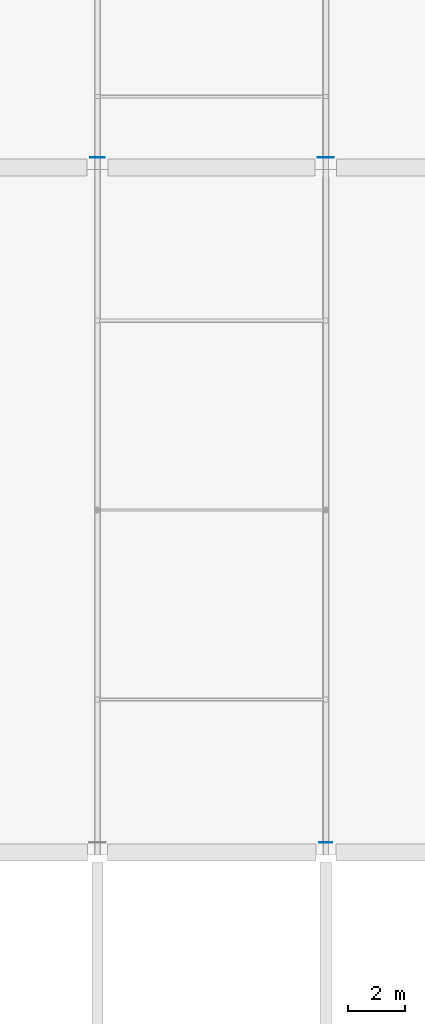
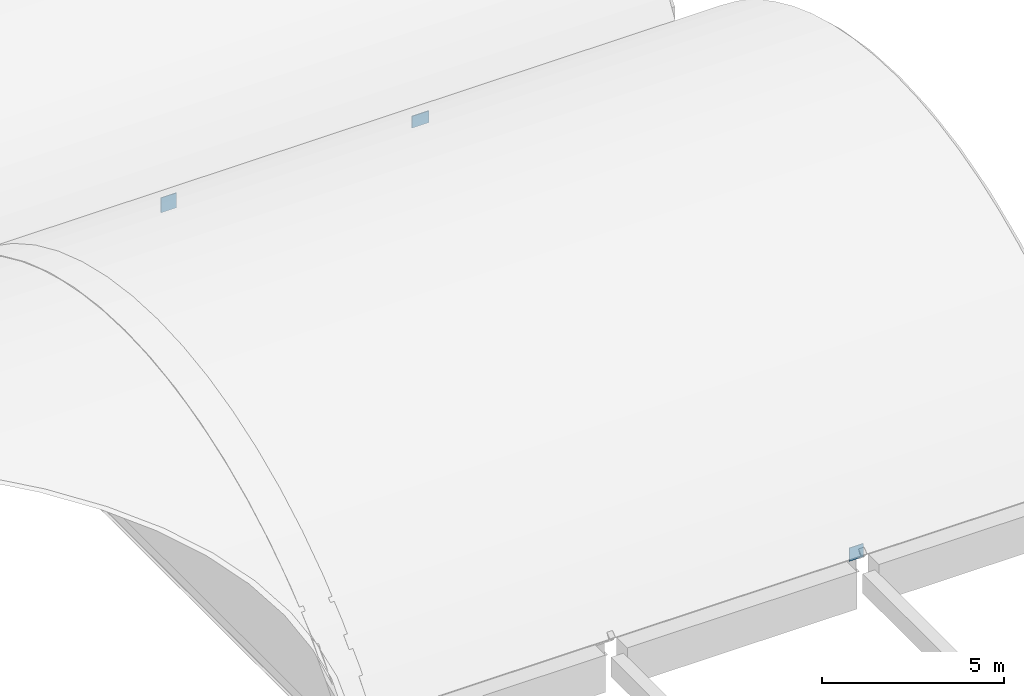
# One storey, part 46 of 57: 3 plates.
"""IFC4 building model written with IfcOpenShell, lengths in metres."""

from ifc_helpers import new_model, si_unit, direction, frame, origin, origin_2d, place, context, subcontext, project, spatial, rectangle, extrude, material, layer, layer_set, type_object, element, save


model = new_model("IFC4")

# Units and contexts
model_context = context("Model", 3, precision=1e-05, world=origin(), true_north=direction((0.0, 1.0)))
body_context = subcontext(model_context, "Body", "Model", "MODEL_VIEW")
ifc_project = project(units=[si_unit("LENGTHUNIT", "METRE"), si_unit("AREAUNIT", "SQUARE_METRE"), si_unit("VOLUMEUNIT", "CUBIC_METRE"), si_unit("PLANEANGLEUNIT", "RADIAN"), si_unit("MASSUNIT", "GRAM", prefix="KILO"), si_unit("THERMODYNAMICTEMPERATUREUNIT", "KELVIN"), si_unit("POWERUNIT", "WATT")], contexts=[model_context])

# Site, building, storey
site_placement = place(None, origin())
site = spatial("IfcSite", under=ifc_project, at=site_placement, CompositionType="ELEMENT")
building_placement = place(site_placement, origin())
building = spatial("IfcBuilding", under=site, at=building_placement, Name="Kronsvod Quay Wholesale Market", CompositionType="ELEMENT")
storey_placement = place(building_placement, frame((0.0, 0.0, 13.199951171875)))
storey = spatial("IfcBuildingStorey", under=building, at=storey_placement, Name="L03", CompositionType="ELEMENT", Elevation=13.199951171875)

# Plates
ifc_material_1 = material(Name="Steel S355", Category="steel")
ifc_layer_1 = layer(ifc_material_1, 0.02001953125)
ifc_layer_set_1 = layer_set([ifc_layer_1], Name="Steel S355")
plate_type_1 = type_object("IfcPlateType", Name="GussetPlate_GP01", PredefinedType="SHEET", material=ifc_layer_set_1)
plate_1_placement = place(storey_placement, frame((80.0, 54.35009765625, -0.3046875), z_axis=(0.0, 0.0, 1.0), x_axis=(1.0, 0.0, 0.0)))
element("IfcPlate", 1, at=plate_1_placement, inside=storey, type_object=plate_type_1, Name="GPL-0008", PredefinedType="SHEET", context=body_context, shape_type="SweptSolid", body=[
    extrude(rectangle(XDim=0.449951171875, YDim=0.02001953125, at=origin_2d()), origin(), (0.0, 0.0, 1.0), 0.449951171875),
])
ifc_material_2 = material(Name="Steel S355", Category="steel")
ifc_layer_2 = layer(ifc_material_2, 0.02197265625)
ifc_layer_set_2 = layer_set([ifc_layer_2], Name="Steel S355")
plate_type_2 = type_object("IfcPlateType", Name="GussetPlate_GP02", PredefinedType="SHEET", material=ifc_layer_set_2)
plate_2_placement = place(storey_placement, frame((72.0, 78.35009765625, -0.329833984375), z_axis=(0.0, 0.0, 1.0), x_axis=(1.0, 0.0, 0.0)))
element("IfcPlate", 2, at=plate_2_placement, inside=storey, type_object=plate_type_2, Name="GPL-0009", PredefinedType="SHEET", context=body_context, shape_type="SweptSolid", body=[
    extrude(rectangle(XDim=0.5, YDim=0.02197265625, at=origin_2d()), origin(), (0.0, 0.0, 1.0), 0.5),
])
ifc_material_3 = material(Name="Steel S355", Category="steel")
ifc_layer_3 = layer(ifc_material_3, 0.02392578125)
ifc_layer_set_3 = layer_set([ifc_layer_3], Name="Steel S355")
plate_type_3 = type_object("IfcPlateType", Name="GussetPlate_GP03", PredefinedType="SHEET", material=ifc_layer_set_3)
plate_3_placement = place(storey_placement, frame((80.0, 78.35009765625, -0.27978515625), z_axis=(0.0, 0.0, 1.0), x_axis=(1.0, 0.0, 0.0)))
element("IfcPlate", 3, at=plate_3_placement, inside=storey, type_object=plate_type_3, Name="GPL-0010", PredefinedType="SHEET", context=body_context, shape_type="SweptSolid", body=[
    extrude(rectangle(XDim=0.550048828125, YDim=0.02392578125, at=origin_2d()), origin(), (0.0, 0.0, 1.0), 0.39990234375),
])

save(model, "model.ifc")
